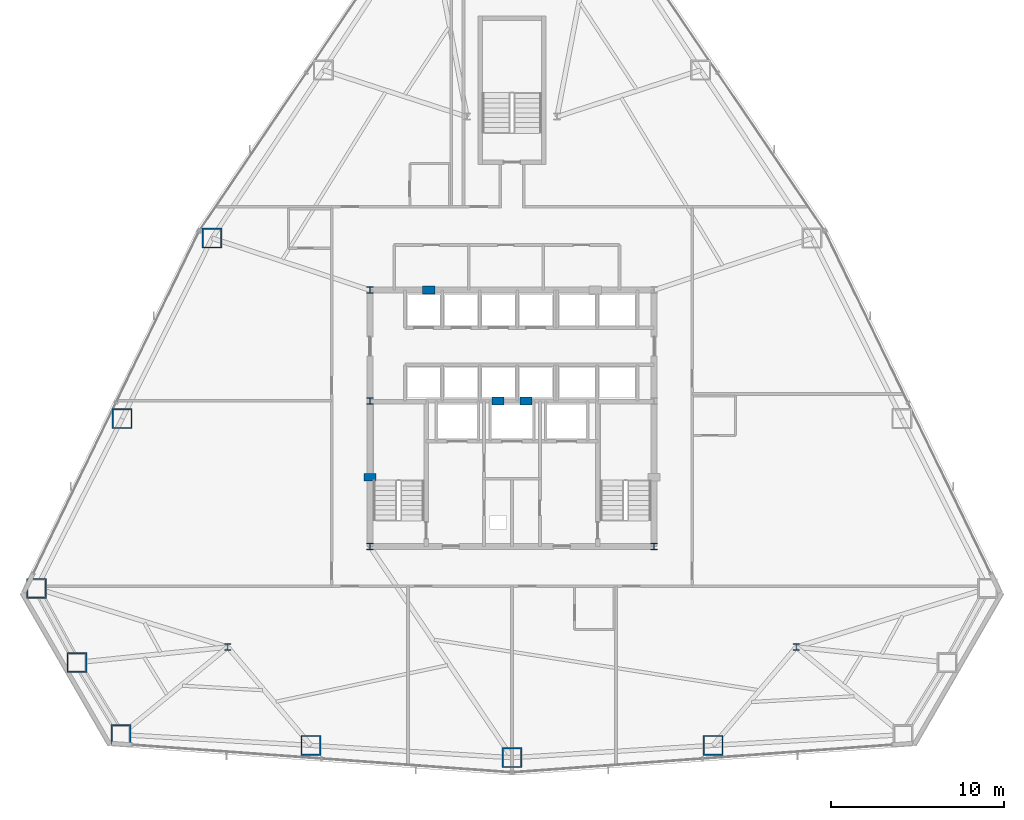
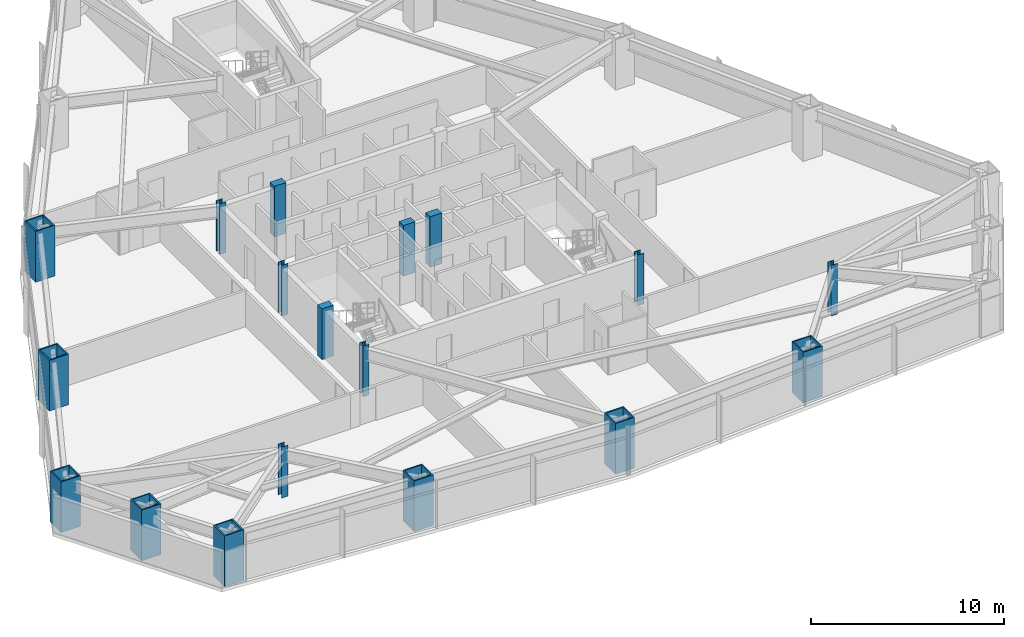
# One storey, part 1 of 12: 18 columns.
"""IFC4 building model written with IfcOpenShell, lengths in metres."""

import ifcopenshell
import ifcopenshell.guid

model = None  # the IFC model being written
_history = None  # IfcOwnerHistory: only IFC2X3 demands one
_inside = {}  # id of a spatial element -> (the spatial element, [elements in it])
_under = {}  # id of a project, library or spatial element -> (it, [spatial elements below it])
_declared = {}  # id of a project -> (the project, [libraries it declares])
_typed = {}  # id of a type object -> (the type object, [elements of that type])
_made_of = {}  # id of a material, layer set ... -> (it, [elements and type objects made of it])


def new_model(schema):
    """Start an empty IFC model of exactly this schema.

    Asked for "IFC4X3", IfcOpenShell would pick the latest addendum, in which some entities
    have other attributes; the version numbers below select the first issue.
    IFC2X3 requires an IfcOwnerHistory on every rooted entity: one is made here for all.
    """
    global model, _history
    if schema == "IFC4X3":
        model = ifcopenshell.file(schema_version=(4, 3, 0, 0))
    else:
        model = ifcopenshell.file(schema=schema)
    _inside.clear()
    _under.clear()
    _declared.clear()
    _typed.clear()
    _made_of.clear()
    _history = None
    if model.schema == "IFC2X3":
        org = make("IfcOrganization", Name="unknown")
        user = make(
            "IfcPersonAndOrganization",
            ThePerson=make("IfcPerson", FamilyName="unknown"),
            TheOrganization=org,
        )
        app = make(
            "IfcApplication",
            ApplicationDeveloper=org,
            Version="unknown",
            ApplicationFullName="unknown",
            ApplicationIdentifier="unknown",
        )
        _history = make(
            "IfcOwnerHistory",
            OwningUser=user,
            OwningApplication=app,
            ChangeAction="ADDED",
            CreationDate=0,
        )
    return model


def make(cls, **values):
    """One entity of the class cls with the attributes given. An attribute that is None is left unset."""
    return model.create_entity(
        cls, **{name: value for name, value in values.items() if value is not None}
    )


def rooted(cls, **values):
    """An entity with a GlobalId (a new one), such as an element, a storey or a relation."""
    return make(cls, GlobalId=ifcopenshell.guid.new(), OwnerHistory=_history, **values)


def si_unit(unit_type, name, prefix=None):
    """IfcSIUnit, for example si_unit("LENGTHUNIT", "METRE", prefix="MILLI")."""
    return make("IfcSIUnit", UnitType=unit_type, Prefix=prefix, Name=name)


def assignment(units):
    """IfcUnitAssignment: the units of a project."""
    return None if units is None else make("IfcUnitAssignment", Units=units)


def point(xyz):
    """IfcCartesianPoint."""
    return None if xyz is None else make("IfcCartesianPoint", Coordinates=xyz)


def direction(xyz):
    """IfcDirection."""
    return None if xyz is None else make("IfcDirection", DirectionRatios=xyz)


def frame(location, z_axis=None, x_axis=None):
    """IfcAxis2Placement3D, a coordinate frame: its origin and axes. An axis left out is left unset."""
    return make(
        "IfcAxis2Placement3D",
        Location=point(location),
        Axis=direction(z_axis),
        RefDirection=direction(x_axis),
    )


def frame_2d(location, x_axis=None):
    """IfcAxis2Placement2D, a coordinate frame in the plane: its origin and x axis."""
    return make(
        "IfcAxis2Placement2D", Location=point(location), RefDirection=direction(x_axis)
    )


def origin():
    """The frame at (0, 0, 0) with its axes left unset."""
    return frame((0.0, 0.0, 0.0))


def origin_2d():
    """The frame at (0, 0) in the plane with its x axis left unset."""
    return frame_2d((0.0, 0.0))


def place(relative_to, where):
    """IfcLocalPlacement: puts the frame where relative to a parent placement (None: the world)."""
    return make(
        "IfcLocalPlacement", PlacementRelTo=relative_to, RelativePlacement=where
    )


def context(
    kind, dimensions, precision=None, world=None, true_north=None, identifier=None
):
    """IfcGeometricRepresentationContext, for example the 3D "Model" context."""
    return make(
        "IfcGeometricRepresentationContext",
        ContextIdentifier=identifier,
        ContextType=kind,
        CoordinateSpaceDimension=dimensions,
        Precision=precision,
        WorldCoordinateSystem=world,
        TrueNorth=true_north,
    )


def subcontext(parent, identifier, kind, view, scale=None):
    """IfcGeometricRepresentationSubContext, for example "Body" below "Model"."""
    return make(
        "IfcGeometricRepresentationSubContext",
        ContextIdentifier=identifier,
        ContextType=kind,
        ParentContext=parent,
        TargetScale=scale,
        TargetView=view,
    )


def project(units=None, contexts=None):
    """IfcProject with its units and contexts."""
    return rooted(
        "IfcProject",
        Name="project",
        RepresentationContexts=contexts,
        UnitsInContext=assignment(units),
    )


def spatial(cls, under=None, at=None, **own):
    """A site, building, storey or space (cls), placed at a placement, below another one or the project."""
    s = rooted(cls, ObjectPlacement=at, **own)
    if under is not None:
        _under.setdefault(under.id(), (under, []))[1].append(s)
    return s


def profile(cls, at=None, kind="AREA", **sizes):
    """A parametric profile (cls). Its sizes go by their IFC names, for example OverallWidth=200.0."""
    return make(cls, ProfileType=kind, Position=at, **sizes)


def rectangle(**sizes):
    """IfcRectangleProfileDef."""
    return profile("IfcRectangleProfileDef", **sizes)


def hollow_rectangle(**sizes):
    """IfcRectangleHollowProfileDef."""
    return profile("IfcRectangleHollowProfileDef", **sizes)


def i_section(**sizes):
    """IfcIShapeProfileDef."""
    return profile("IfcIShapeProfileDef", **sizes)


def extrude(swept, where, along, depth):
    """IfcExtrudedAreaSolid: the profile swept, set in the frame where, extruded along a direction by depth."""
    return make(
        "IfcExtrudedAreaSolid",
        SweptArea=swept,
        Position=where,
        ExtrudedDirection=direction(along),
        Depth=depth,
    )


def shape(context_of_items, identifier, shape_type, items):
    """IfcShapeRepresentation: the items that make up one representation, for example the "Body"."""
    return make(
        "IfcShapeRepresentation",
        ContextOfItems=context_of_items,
        RepresentationIdentifier=identifier,
        RepresentationType=shape_type,
        Items=items,
    )


def material(Name=None, Category=None):
    """IfcMaterial."""
    return make("IfcMaterial", Name=Name, Category=Category)


def material_profile(
    of_material, cross_section, Name=None, Category=None, Priority=None
):
    """IfcMaterialProfile: a cross section and its material."""
    return make(
        "IfcMaterialProfile",
        Name=Name,
        Material=of_material,
        Profile=cross_section,
        Priority=Priority,
        Category=Category,
    )


def profile_set(profiles, Name=None, composite=None):
    """IfcMaterialProfileSet."""
    return make(
        "IfcMaterialProfileSet",
        Name=Name,
        MaterialProfiles=profiles,
        CompositeProfile=composite,
    )


def made_of(thing, what):
    """Note that an element or type object is made of a material, layer set ...; save() writes the relation."""
    if what is not None:
        _made_of.setdefault(what.id(), (what, []))[1].append(thing)
    return thing


def type_object(cls, material=None, **own):
    """A type object (cls), such as IfcWallType, which elements share."""
    return made_of(rooted(cls, **own), material)


def element(
    cls,
    number,
    at=None,
    inside=None,
    cuts=None,
    type_object=None,
    material=None,
    context=None,
    identifier="Body",
    shape_type=None,
    held_by="IfcProductDefinitionShape",
    body=None,
    shapes=None,
    **own,
):
    """One element of the class cls, such as IfcWall. Its Tag is "e" and its number.

    at: its placement. inside: the storey or other place that contains it. cuts: it is an
    opening in that element (IfcRelVoidsElement). A single representation is given by context,
    identifier, shape_type and body (its items); several are given by shapes. held_by: the class
    of the entity that holds the representations. save() writes the other relations.
    """
    e = rooted(cls, Tag="e%d" % number, ObjectPlacement=at, **own)
    if body is not None:
        shapes = [shape(context, identifier, shape_type, body)]
    if shapes is not None:
        e.Representation = make(held_by, Representations=shapes)
    if inside is not None:
        _inside.setdefault(inside.id(), (inside, []))[1].append(e)
    if cuts is not None:
        rooted(
            "IfcRelVoidsElement", RelatingBuildingElement=cuts, RelatedOpeningElement=e
        )
    if type_object is not None:
        _typed.setdefault(type_object.id(), (type_object, []))[1].append(e)
    return made_of(e, material)


def aggregate(whole, parts):
    """IfcRelAggregates: a whole, such as a stair, and the parts it consists of."""
    return rooted("IfcRelAggregates", RelatingObject=whole, RelatedObjects=parts)


def save(model, path):
    """Write the relations noted so far, then the file.

    IfcRelAggregates (storeys below a building ...), IfcRelContainedInSpatialStructure (elements
    in a storey), IfcRelDefinesByType, IfcRelAssociatesMaterial and IfcRelDeclares: one each for
    every whole, place, type object, material and project.
    """
    for whole, parts in _under.values():
        aggregate(whole, parts)
    for where, things in _inside.values():
        rooted(
            "IfcRelContainedInSpatialStructure",
            RelatedElements=things,
            RelatingStructure=where,
        )
    for kind, things in _typed.values():
        rooted("IfcRelDefinesByType", RelatedObjects=things, RelatingType=kind)
    for what, things in _made_of.values():
        rooted("IfcRelAssociatesMaterial", RelatedObjects=things, RelatingMaterial=what)
    for by, libraries in _declared.values():
        rooted("IfcRelDeclares", RelatingContext=by, RelatedDefinitions=libraries)
    model.write(path)


model = new_model("IFC4")

# Units and contexts
model_context = context("Model", 3, precision=1e-05, world=origin(), true_north=direction((0.0, 1.0)))
body_context = subcontext(model_context, "Body", "Model", "MODEL_VIEW")
ifc_project = project(units=[si_unit("LENGTHUNIT", "METRE"), si_unit("AREAUNIT", "SQUARE_METRE"), si_unit("VOLUMEUNIT", "CUBIC_METRE"), si_unit("PLANEANGLEUNIT", "RADIAN"), si_unit("MASSUNIT", "GRAM", prefix="KILO")], contexts=[model_context])

# Site, building, storey
site_placement = place(None, origin())
site = spatial("IfcSite", under=ifc_project, at=site_placement, CompositionType="ELEMENT")
building_placement = place(site_placement, origin())
building = spatial("IfcBuilding", under=site, at=building_placement, Name="Varakhsha Concourse Tower", CompositionType="ELEMENT")
storey_placement = place(building_placement, frame((0.0, 0.0, 59.199951171875)))
storey = spatial("IfcBuildingStorey", under=building, at=storey_placement, Name="L16", CompositionType="ELEMENT", Elevation=59.199951171875)

# Columns
ifc_material_1 = material(Name="Structural Steel ASTM A992 Grade 50", Category="steel")
ifc_material_profile_1 = material_profile(ifc_material_1, i_section(OverallWidth=0.3740234375, OverallDepth=0.3720703125, WebThickness=0.01611328125, FlangeThickness=0.02587890625, at=origin_2d()), Name="W14X132")
ifc_profile_set_1 = profile_set([ifc_material_profile_1], Name="Structural Steel ASTM A992 Grade 50")
column_type_1 = type_object("IfcColumnType", Name="CL-CORE-W14X132", PredefinedType="COLUMN", material=ifc_profile_set_1)
for number, where, z_axis, x_axis, name in (
    (1, (31.800048828125, 16.39990234375, 0.0), (0.0, 0.0, 1.0), (1.0, 0.0, 0.0), "L16 Core Column CC-SW"),
    (2, (48.199951171875, 16.39990234375, 0.0), (0.0, 0.0, 1.0), (1.0, 0.0, 0.0), "L16 Core Column CC-SE"),
    (3, (31.800048828125, 24.800048828125, 0.0), (0.0, 0.0, 1.0), (1.0, 0.0, 0.0), "L16 Core Column CC-MW"),
    (4, (31.800048828125, 31.199951171875, 0.0), (0.0, 0.0, 1.0), (1.0, 0.0, 0.0), "L16 Core Column CC-NW"),
    (5, (23.60009765625, 10.60009765625, 0.0), (0.0, 0.0, 1.0), (1.0, 0.0, 0.0), "L16 Core Column SS-W"),
    (6, (56.39990234375, 10.60009765625, 0.0), (0.0, 0.0, 1.0), (1.0, 0.0, 0.0), "L16 Core Column SS-E"),
):
    element("IfcColumn", number, at=place(storey_placement, frame(where, z_axis=z_axis, x_axis=x_axis)), inside=storey, type_object=column_type_1, Name=name, PredefinedType="COLUMN", context=body_context, shape_type="SweptSolid", body=[
        extrude(i_section(OverallWidth=0.3740234375, OverallDepth=0.3720703125, WebThickness=0.01611328125, FlangeThickness=0.02587890625, at=origin_2d()), origin(), (0.0, 0.0, 1.0), 3.199951171875),
    ])
ifc_material_2 = material(Name="Concrete fc 65 MPa", Category="concrete")
ifc_material_profile_2 = material_profile(ifc_material_2, rectangle(XDim=0.699951171875, YDim=0.449951171875, at=origin_2d()), Name="RC 700x450")
ifc_profile_set_2 = profile_set([ifc_material_profile_2], Name="Concrete fc 65 MPa")
column_type_2 = type_object("IfcColumnType", Name="CL-PIL-700X450", PredefinedType="PILASTER", material=ifc_profile_set_2)
for number, where, z_axis, x_axis, name in (
    (7, (31.800048828125, 20.39990234375, 0.0), (0.0, 0.0, 1.0), (1.0, 0.0, 0.0), "L16 Core Boundary Pilaster PIL-W1"),
    (8, (35.199951171875, 31.199951171875, 0.0), (0.0, 0.0, 1.0), (1.0, 0.0, 0.0), "L16 Core Boundary Pilaster PIL-N1"),
    (9, (39.199951171875, 24.800048828125, 0.0), (0.0, 0.0, 1.0), (1.0, 0.0, 0.0), "L16 Core Boundary Pilaster PIL-M1"),
    (10, (40.800048828125, 24.800048828125, 0.0), (0.0, 0.0, 1.0), (1.0, 0.0, 0.0), "L16 Core Boundary Pilaster PIL-M2"),
):
    element("IfcColumn", number, at=place(storey_placement, frame(where, z_axis=z_axis, x_axis=x_axis)), inside=storey, type_object=column_type_2, Name=name, PredefinedType="PILASTER", context=body_context, shape_type="SweptSolid", body=[
        extrude(rectangle(XDim=0.699951171875, YDim=0.449951171875, at=origin_2d()), origin(), (0.0, 0.0, 1.0), 3.199951171875),
    ])
ifc_material_3 = material(Name="Structural Steel ASTM A572 Grade 50", Category="steel")
ifc_material_profile_3 = material_profile(ifc_material_3, hollow_rectangle(XDim=1.14990234375, YDim=1.14990234375, WallThickness=0.074951171875, at=origin_2d()), Name="BOX 1150x1150x75")
ifc_profile_set_3 = profile_set([ifc_material_profile_3], Name="Structural Steel ASTM A572 Grade 50")
column_type_3 = type_object("IfcColumnType", Name="CL-TUBE-1150", PredefinedType="COLUMN", material=ifc_profile_set_3)
for number, where, z_axis, x_axis, name in (
    (11, (22.694580078125, 34.19140625, 0.0), (0.0, 0.0, 1.0), (1.0, 0.0, 0.0), "L16 Framed-Tube Column TC05"),
    (12, (17.50830078125, 23.7822265625, 0.0), (0.0, 0.0, 1.0), (1.0, 0.0, 0.0), "L16 Framed-Tube Column TC06"),
    (13, (12.562744140625, 13.987548828125, 0.0), (0.0, 0.0, 1.0), (1.0, 0.0, 0.0), "L16 Framed-Tube Column TC07"),
    (14, (14.897705078125, 9.707275390625, 0.0), (0.0, 0.0, 1.0), (1.0, 0.0, 0.0), "L16 Framed-Tube Column TC08"),
    (15, (17.43701171875, 5.544921875, 0.0), (0.0, 0.0, 1.0), (1.0, 0.0, 0.0), "L16 Framed-Tube Column TC09"),
    (16, (28.392333984375, 4.930419921875, 0.0), (0.0, 0.0, 1.0), (1.0, 0.0, 0.0), "L16 Framed-Tube Column TC10"),
    (17, (40.0, 4.217529296875, 0.0), (0.0, 0.0, 1.0), (1.0, 0.0, 0.0), "L16 Framed-Tube Column TC11"),
    (18, (51.607666015625, 4.930419921875, 0.0), (0.0, 0.0, 1.0), (1.0, 0.0, 0.0), "L16 Framed-Tube Column TC12"),
):
    element("IfcColumn", number, at=place(storey_placement, frame(where, z_axis=z_axis, x_axis=x_axis)), inside=storey, type_object=column_type_3, Name=name, PredefinedType="COLUMN", context=body_context, shape_type="SweptSolid", body=[
        extrude(hollow_rectangle(XDim=1.14990234375, YDim=1.14990234375, WallThickness=0.074951171875, at=origin_2d()), origin(), (0.0, 0.0, 1.0), 3.199951171875),
    ])

save(model, "model.ifc")
